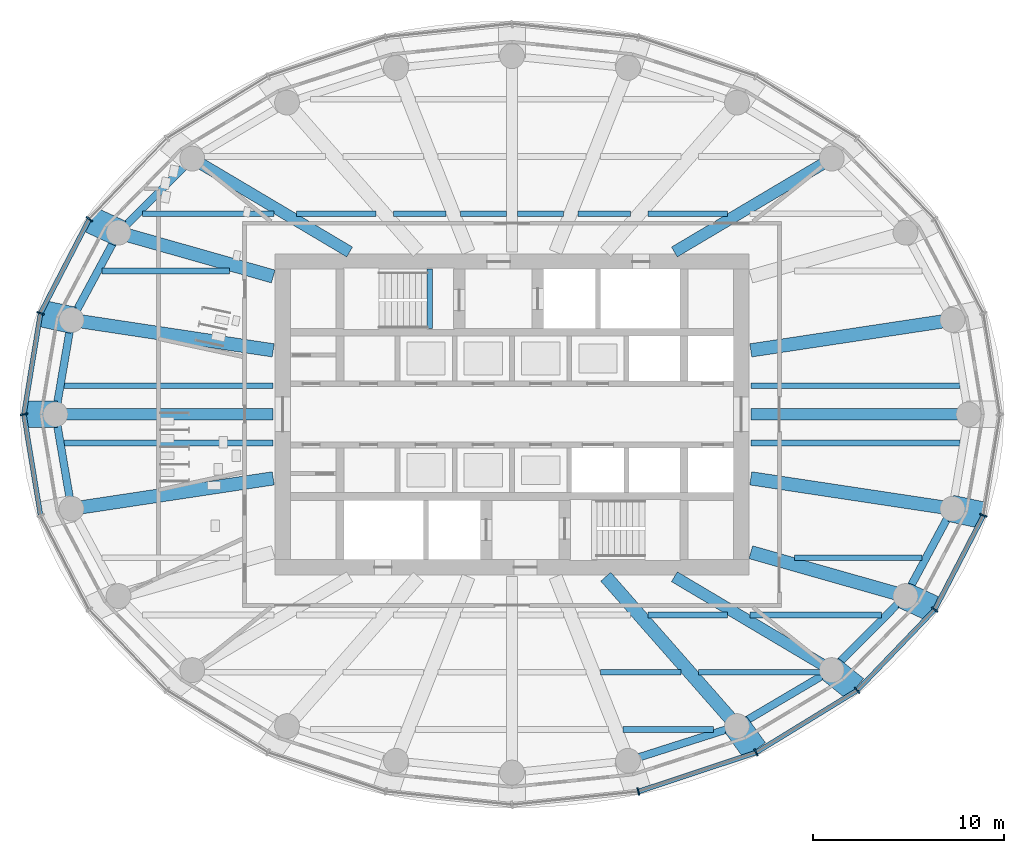
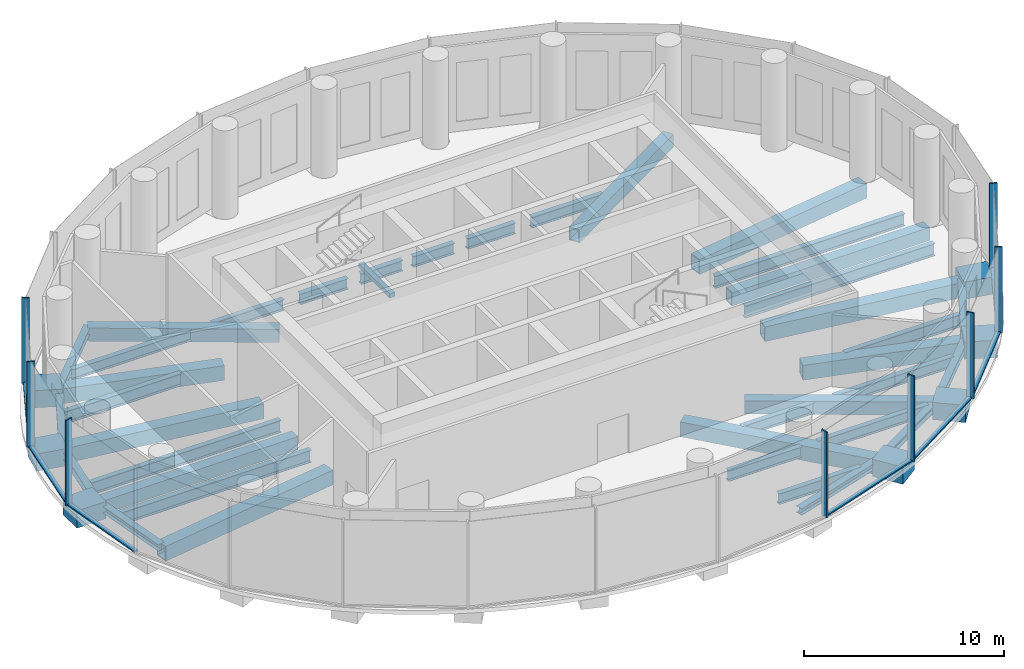
# One storey, part 2 of 13: 46 beams, 15 members, 3 elements without a shape of their own.
"""IFC4 building model written with IfcOpenShell, lengths in metres."""

from ifc_helpers import new_model, si_unit, direction, frame, origin, origin_2d, place, context, subcontext, project, spatial, rectangle, hollow_rectangle, i_section, extrude, material, material_profile, profile_set, type_object, element, aggregate, save


model = new_model("IFC4")

# Units and contexts
model_context = context("Model", 3, precision=1e-05, world=origin(), true_north=direction((0.0, 1.0)))
body_context = subcontext(model_context, "Body", "Model", "MODEL_VIEW")
ifc_project = project(units=[si_unit("LENGTHUNIT", "METRE"), si_unit("AREAUNIT", "SQUARE_METRE"), si_unit("VOLUMEUNIT", "CUBIC_METRE"), si_unit("PLANEANGLEUNIT", "RADIAN"), si_unit("MASSUNIT", "GRAM", prefix="KILO")], contexts=[model_context])

# Site, building, storey
site_placement = place(None, origin())
site = spatial("IfcSite", under=ifc_project, at=site_placement, CompositionType="ELEMENT")
building_placement = place(site_placement, origin())
building = spatial("IfcBuilding", under=site, at=building_placement, Name="Hankou Lantern Tower", CompositionType="ELEMENT")
storey_placement = place(building_placement, frame((0.0, 0.0, 100.199951171875)))
storey = spatial("IfcBuildingStorey", under=building, at=storey_placement, Name="L25", CompositionType="ELEMENT", Elevation=100.199951171875)

# Beams
ifc_material_1 = material(Name="Steel Q355B", Category="steel")
ifc_material_profile_1 = material_profile(ifc_material_1, i_section(OverallWidth=0.39990234375, OverallDepth=0.39990234375, WebThickness=0.012939453125, FlangeThickness=0.02099609375, FilletRadius=0.02197265625, at=origin_2d()), Name="HW400x400x13x21")
ifc_profile_set_1 = profile_set([ifc_material_profile_1], Name="Steel Q355B")
beam_type_1 = type_object("IfcBeamType", Name="EB19 RING BEAM HW400x400x13x21", PredefinedType="SPANDREL", material=ifc_profile_set_1)
beam_1_placement = place(storey_placement, frame((-16.73388671875, 13.38720703125, -0.449951171875), z_axis=(-0.705945468625, -0.708266189599, 0.0), x_axis=(0.708266189599, -0.705945468625, 0.0)))
element("IfcBeam", 1, at=beam_1_placement, inside=storey, type_object=beam_type_1, Name="Ring beam R10-R11 L25", PredefinedType="SPANDREL", context=body_context, shape_type="SweptSolid", body=[
    extrude(i_section(OverallWidth=0.39990234375, OverallDepth=0.39990234375, WebThickness=0.012939453125, FlangeThickness=0.02099609375, FilletRadius=0.02197265625, at=origin_2d()), origin(), (0.0, 0.0, 1.0), 5.470458984375),
])
beam_2_placement = place(storey_placement, frame((-20.595703125, 9.5126953125, -0.449951171875), z_axis=(-0.473824901673, -0.880619079145, 0.0), x_axis=(0.880619079145, -0.473824901673, 0.0)))
element("IfcBeam", 2, at=beam_2_placement, inside=storey, type_object=beam_type_1, Name="Ring beam R11-R12 L25", PredefinedType="SPANDREL", context=body_context, shape_type="SweptSolid", body=[
    extrude(i_section(OverallWidth=0.39990234375, OverallDepth=0.39990234375, WebThickness=0.012939453125, FlangeThickness=0.02099609375, FilletRadius=0.02197265625, at=origin_2d()), origin(), (0.0, 0.0, 1.0), 5.190185546875),
])
for number, where, z_axis, x_axis, name in (
    (3, (-23.054931640625, 4.942138671875, -0.449951171875), (-0.168527258545, -0.985696993567, 0.0), (0.985696993567, -0.168527258545, 0.0), "Ring beam R12-R13 L25"),
    (4, (-23.89990234375, 0.0, -0.449951171875), (0.168527258545, -0.985696993567, 0.0), (0.985696993567, 0.168527258545, 0.0), "Ring beam R13-R14 L25"),
):
    element("IfcBeam", number, at=place(storey_placement, frame(where, z_axis=z_axis, x_axis=x_axis)), inside=storey, type_object=beam_type_1, Name=name, PredefinedType="SPANDREL", context=body_context, shape_type="SweptSolid", body=[
        extrude(i_section(OverallWidth=0.39990234375, OverallDepth=0.39990234375, WebThickness=0.012939453125, FlangeThickness=0.02099609375, FilletRadius=0.02197265625, at=origin_2d()), origin(), (0.0, 0.0, 1.0), 5.013916015625),
    ])
beam_3_placement = place(storey_placement, frame((6.073974609375, -18.134521484375, -0.449951171875), z_axis=(0.952731090451, 0.303814860215, 0.0), x_axis=(-0.303814860215, 0.952731090451, 0.0)))
element("IfcBeam", 5, at=beam_3_placement, inside=storey, type_object=beam_type_1, Name="Ring beam R20-R21 L25", PredefinedType="SPANDREL", context=body_context, shape_type="SweptSolid", body=[
    extrude(i_section(OverallWidth=0.39990234375, OverallDepth=0.39990234375, WebThickness=0.012939453125, FlangeThickness=0.02099609375, FilletRadius=0.02197265625, at=origin_2d()), origin(), (0.0, 0.0, 1.0), 5.984375),
])
beam_4_placement = place(storey_placement, frame((11.775390625, -16.31640625, -0.449951171875), z_axis=(0.860988974188, 0.508623619513, 0.0), x_axis=(-0.508623619513, 0.860988974188, 0.0)))
element("IfcBeam", 6, at=beam_4_placement, inside=storey, type_object=beam_type_1, Name="Ring beam R21-R22 L25", PredefinedType="SPANDREL", context=body_context, shape_type="SweptSolid", body=[
    extrude(i_section(OverallWidth=0.39990234375, OverallDepth=0.39990234375, WebThickness=0.012939453125, FlangeThickness=0.02099609375, FilletRadius=0.02197265625, at=origin_2d()), origin(), (0.0, 0.0, 1.0), 5.759033203125),
])
beam_5_placement = place(storey_placement, frame((16.73388671875, -13.38720703125, -0.449951171875), z_axis=(0.705945468625, 0.708266189599, 0.0), x_axis=(-0.708266189599, 0.705945468625, 0.0)))
element("IfcBeam", 7, at=beam_5_placement, inside=storey, type_object=beam_type_1, Name="Ring beam R22-R23 L25", PredefinedType="SPANDREL", context=body_context, shape_type="SweptSolid", body=[
    extrude(i_section(OverallWidth=0.39990234375, OverallDepth=0.39990234375, WebThickness=0.012939453125, FlangeThickness=0.02099609375, FilletRadius=0.02197265625, at=origin_2d()), origin(), (0.0, 0.0, 1.0), 5.470458984375),
])
beam_6_placement = place(storey_placement, frame((20.595703125, -9.5126953125, -0.449951171875), z_axis=(0.473824901673, 0.880619079145, 0.0), x_axis=(-0.880619079145, 0.473824901673, 0.0)))
element("IfcBeam", 8, at=beam_6_placement, inside=storey, type_object=beam_type_1, Name="Ring beam R23-R24 L25", PredefinedType="SPANDREL", context=body_context, shape_type="SweptSolid", body=[
    extrude(i_section(OverallWidth=0.39990234375, OverallDepth=0.39990234375, WebThickness=0.012939453125, FlangeThickness=0.02099609375, FilletRadius=0.02197265625, at=origin_2d()), origin(), (0.0, 0.0, 1.0), 5.190185546875),
])
ifc_material_2 = material(Name="Concrete C40", Category="concrete")
ifc_material_profile_2 = material_profile(ifc_material_2, rectangle(XDim=0.300048828125, YDim=0.25, at=origin_2d()), Name="RC 300x250")
ifc_profile_set_2 = profile_set([ifc_material_profile_2], Name="Concrete C40")
beam_type_2 = type_object("IfcBeamType", Name="LB1 STAIR LANDING BEAM RC 300x250", PredefinedType="BEAM", material=ifc_profile_set_2)
beam_7_placement = place(storey_placement, frame((-4.300048828125, 4.5, 2.574951171875), z_axis=(0.0, 1.0, 0.0), x_axis=(-1.0, 0.0, 0.0)))
element("IfcBeam", 9, at=beam_7_placement, inside=storey, type_object=beam_type_2, Name="Stair STA landing beam L25", PredefinedType="BEAM", context=body_context, shape_type="SweptSolid", body=[
    extrude(rectangle(XDim=0.300048828125, YDim=0.25, at=origin_2d()), origin(), (0.0, 0.0, 1.0), 3.10009765625),
])

# Curtain wall, members
ifc_material_3 = material(Name="Glass, dark grey tinted laminated", Category="glass")
curtain_wall_type = type_object("IfcCurtainWallType", Name="CWB OUTER SKIN MID-RISE", PredefinedType="USERDEFINED", material=ifc_material_3)
curtain_wall_1_placement = place(storey_placement, origin())
curtain_wall_1 = element("IfcCurtainWall", 10, at=curtain_wall_1_placement, inside=storey, type_object=curtain_wall_type, Name="CWB L25 OS2", ObjectType="OUTER SKIN MID-RISE", PredefinedType="USERDEFINED")
ifc_material_4 = material(Name="Aluminium, black anodised", Category="aluminium")
ifc_material_profile_3 = material_profile(ifc_material_4, rectangle(XDim=0.080078125, YDim=0.39990234375, at=origin_2d()), Name="MU3 80X400")
ifc_profile_set_3 = profile_set([ifc_material_profile_3], Name="Aluminium, black anodised")
member_type_1 = type_object("IfcMemberType", Name="MU3 OUTER SKIN TALL MULLION 80X400", PredefinedType="MULLION", material=ifc_profile_set_3)
member_1_placement = place(storey_placement, frame((-22.126953125, 10.219970703125, 0.0), z_axis=(0.0, 0.0, 1.0), x_axis=(-0.585205735974, -0.810884854084, 0.0)))
member_1 = element("IfcMember", 11, at=member_1_placement, type_object=member_type_1, Name="CWB mullion 5", PredefinedType="MULLION", context=body_context, shape_type="SweptSolid", body=[
    extrude(rectangle(XDim=0.080078125, YDim=0.39990234375, at=origin_2d()), origin(), (0.0, 0.0, 1.0), 5.219970703125),
])
member_2_placement = place(storey_placement, frame((-24.679443359375, 5.290283203125, 0.0), z_axis=(0.0, 0.0, 1.0), x_axis=(-0.317595577365, -0.94822626479, 0.0)))
member_2 = element("IfcMember", 12, at=member_2_placement, type_object=member_type_1, Name="CWB mullion 6", PredefinedType="MULLION", context=body_context, shape_type="SweptSolid", body=[
    extrude(rectangle(XDim=0.080078125, YDim=0.39990234375, at=origin_2d()), origin(), (0.0, 0.0, 1.0), 5.219970703125),
])

# Curtain wall, member
curtain_wall_2_placement = place(storey_placement, origin())
curtain_wall_2 = element("IfcCurtainWall", 13, at=curtain_wall_2_placement, inside=storey, type_object=curtain_wall_type, Name="CWB L25 OS3", ObjectType="OUTER SKIN MID-RISE", PredefinedType="USERDEFINED")
member_3_placement = place(storey_placement, frame((-25.550048828125, 0.0, 0.0), z_axis=(0.0, 0.0, 1.0), x_axis=(0.162381515188, -0.986728049427, 0.0)))
member_3 = element("IfcMember", 14, at=member_3_placement, type_object=member_type_1, Name="CWB mullion 1", PredefinedType="MULLION", context=body_context, shape_type="SweptSolid", body=[
    extrude(rectangle(XDim=0.080078125, YDim=0.39990234375, at=origin_2d()), origin(), (0.0, 0.0, 1.0), 5.219970703125),
])

# Curtain wall, members
curtain_wall_3_placement = place(storey_placement, origin())
curtain_wall_3 = element("IfcCurtainWall", 15, at=curtain_wall_3_placement, inside=storey, type_object=curtain_wall_type, Name="CWB L25 OS4", ObjectType="OUTER SKIN MID-RISE", PredefinedType="USERDEFINED")
member_4_placement = place(storey_placement, frame((6.61279296875, -19.743408203125, 0.0), z_axis=(0.0, 0.0, 1.0), x_axis=(0.977787659625, 0.209597931016, 0.0)))
member_4 = element("IfcMember", 16, at=member_4_placement, type_object=member_type_1, Name="CWB mullion 2", PredefinedType="MULLION", context=body_context, shape_type="SweptSolid", body=[
    extrude(rectangle(XDim=0.080078125, YDim=0.39990234375, at=origin_2d()), origin(), (0.0, 0.0, 1.0), 5.219970703125),
])
member_5_placement = place(storey_placement, frame((12.77490234375, -17.70166015625, 0.0), z_axis=(0.0, 0.0, 1.0), x_axis=(0.907841299004, 0.419313934686, 0.0)))
member_5 = element("IfcMember", 17, at=member_5_placement, type_object=member_type_1, Name="CWB mullion 3", PredefinedType="MULLION", context=body_context, shape_type="SweptSolid", body=[
    extrude(rectangle(XDim=0.080078125, YDim=0.39990234375, at=origin_2d()), origin(), (0.0, 0.0, 1.0), 5.219970703125),
])
member_6_placement = place(storey_placement, frame((18.066650390625, -14.453369140625, 0.0), z_axis=(0.0, 0.0, 1.0), x_axis=(0.780868809444, 0.624695047553, 0.0)))
member_6 = element("IfcMember", 18, at=member_6_placement, type_object=member_type_1, Name="CWB mullion 4", PredefinedType="MULLION", context=body_context, shape_type="SweptSolid", body=[
    extrude(rectangle(XDim=0.080078125, YDim=0.39990234375, at=origin_2d()), origin(), (0.0, 0.0, 1.0), 5.219970703125),
])
member_7_placement = place(storey_placement, frame((22.126953125, -10.219970703125, 0.0), z_axis=(0.0, 0.0, 1.0), x_axis=(0.585205735974, 0.810884854084, 0.0)))
member_7 = element("IfcMember", 19, at=member_7_placement, type_object=member_type_1, Name="CWB mullion 5", PredefinedType="MULLION", context=body_context, shape_type="SweptSolid", body=[
    extrude(rectangle(XDim=0.080078125, YDim=0.39990234375, at=origin_2d()), origin(), (0.0, 0.0, 1.0), 5.219970703125),
])
member_8_placement = place(storey_placement, frame((24.679443359375, -5.290283203125, 0.0), z_axis=(0.0, 0.0, 1.0), x_axis=(0.317595577365, 0.94822626479, 0.0)))
member_8 = element("IfcMember", 20, at=member_8_placement, type_object=member_type_1, Name="CWB mullion 6", PredefinedType="MULLION", context=body_context, shape_type="SweptSolid", body=[
    extrude(rectangle(XDim=0.080078125, YDim=0.39990234375, at=origin_2d()), origin(), (0.0, 0.0, 1.0), 5.219970703125),
])

# Beams
ifc_material_5 = material(Name="Steel Q390GJ", Category="steel")
ifc_material_profile_4 = material_profile(ifc_material_5, hollow_rectangle(XDim=0.60009765625, YDim=0.800048828125, WallThickness=0.050048828125, at=origin_2d()), Name="BOX800x600x50")
ifc_profile_set_4 = profile_set([ifc_material_profile_4], Name="Steel Q390GJ")
beam_type_3 = type_object("IfcBeamType", Name="OT1 OUTRIGGER CHORD BOX800x600x50", PredefinedType="BEAM", material=ifc_profile_set_4)
beam_8_placement = place(storey_placement, frame((12.5, 0.0, -0.64990234375), z_axis=(1.0, 0.0, 0.0), x_axis=(0.0, 1.0, 0.0)))
element("IfcBeam", 21, at=beam_8_placement, inside=storey, type_object=beam_type_3, Name="Radial beam R01 L25", PredefinedType="BEAM", context=body_context, shape_type="SweptSolid", body=[
    extrude(hollow_rectangle(XDim=0.60009765625, YDim=0.800048828125, WallThickness=0.050048828125, at=origin_2d()), origin(), (0.0, 0.0, 1.0), 11.39990234375),
])
for number, where, z_axis, x_axis, name in (
    (22, (8.5, 8.5, -0.64990234375), (0.859930987627, 0.51041032172, 0.0), (-0.51041032172, 0.859930987627, 0.0), "Radial beam R04 L25"),
    (23, (-8.5, 8.5, -0.64990234375), (-0.859930987627, 0.51041032172, 0.0), (-0.51041032172, -0.859930987627, 0.0), "Radial beam R10 L25"),
):
    element("IfcBeam", number, at=place(storey_placement, frame(where, z_axis=z_axis, x_axis=x_axis)), inside=storey, type_object=beam_type_3, Name=name, PredefinedType="BEAM", context=body_context, shape_type="SweptSolid", body=[
        extrude(hollow_rectangle(XDim=0.60009765625, YDim=0.800048828125, WallThickness=0.050048828125, at=origin_2d()), origin(), (0.0, 0.0, 1.0), 9.574951171875),
    ])
beam_9_placement = place(storey_placement, frame((-12.5, 0.0, -0.64990234375), z_axis=(-1.0, 0.0, 0.0), x_axis=(0.0, -1.0, 0.0)))
element("IfcBeam", 24, at=beam_9_placement, inside=storey, type_object=beam_type_3, Name="Radial beam R13 L25", PredefinedType="BEAM", context=body_context, shape_type="SweptSolid", body=[
    extrude(hollow_rectangle(XDim=0.60009765625, YDim=0.800048828125, WallThickness=0.050048828125, at=origin_2d()), origin(), (0.0, 0.0, 1.0), 11.39990234375),
])
beam_10_placement = place(storey_placement, frame((8.5, -8.5, -0.64990234375), z_axis=(0.859930987627, -0.51041032172, 0.0), x_axis=(0.51041032172, 0.859930987627, 0.0)))
element("IfcBeam", 25, at=beam_10_placement, inside=storey, type_object=beam_type_3, Name="Radial beam R22 L25", PredefinedType="BEAM", context=body_context, shape_type="SweptSolid", body=[
    extrude(hollow_rectangle(XDim=0.60009765625, YDim=0.800048828125, WallThickness=0.050048828125, at=origin_2d()), origin(), (0.0, 0.0, 1.0), 9.574951171875),
])
ifc_material_6 = material(Name="Steel Q355B", Category="steel")
ifc_material_profile_5 = material_profile(ifc_material_6, hollow_rectangle(XDim=0.699951171875, YDim=0.89990234375, WallThickness=0.050048828125, at=origin_2d()), Name="BOX900x700x50")
ifc_profile_set_5 = profile_set([ifc_material_profile_5], Name="Steel Q355B")
beam_type_4 = type_object("IfcBeamType", Name="RB27 RADIAL BEAM BOX900x700x50", PredefinedType="BEAM", material=ifc_profile_set_5)
beam_11_placement = place(storey_placement, frame((12.5, 3.349365234375, -0.699951171875), z_axis=(0.988804945113, 0.149213875093, 0.0), x_axis=(-0.149213875093, 0.988804945113, 0.0)))
element("IfcBeam", 26, at=beam_11_placement, inside=storey, type_object=beam_type_4, Name="Radial beam R02 L25", PredefinedType="BEAM", context=body_context, shape_type="SweptSolid", body=[
    extrude(hollow_rectangle(XDim=0.699951171875, YDim=0.89990234375, WallThickness=0.050048828125, at=origin_2d()), origin(), (0.0, 0.0, 1.0), 10.67431640625),
])
beam_12_placement = place(storey_placement, frame((-12.5, 7.216796875, -0.699951171875), z_axis=(-0.96206075006, 0.272835322484, 0.0), x_axis=(-0.272835322484, -0.96206075006, 0.0)))
element("IfcBeam", 27, at=beam_12_placement, inside=storey, type_object=beam_type_4, Name="Radial beam R11 L25", PredefinedType="BEAM", context=body_context, shape_type="SweptSolid", body=[
    extrude(hollow_rectangle(XDim=0.699951171875, YDim=0.89990234375, WallThickness=0.050048828125, at=origin_2d()), origin(), (0.0, 0.0, 1.0), 8.4150390625),
])
for number, where, z_axis, x_axis, name in (
    (28, (-12.5, 3.349365234375, -0.699951171875), (-0.988804945113, 0.149213875093, 0.0), (-0.149213875093, -0.988804945113, 0.0), "Radial beam R12 L25"),
    (29, (-12.5, -3.349365234375, -0.699951171875), (-0.988804945113, -0.149213875093, 0.0), (0.149213875093, -0.988804945113, 0.0), "Radial beam R14 L25"),
):
    element("IfcBeam", number, at=place(storey_placement, frame(where, z_axis=z_axis, x_axis=x_axis)), inside=storey, type_object=beam_type_4, Name=name, PredefinedType="BEAM", context=body_context, shape_type="SweptSolid", body=[
        extrude(hollow_rectangle(XDim=0.699951171875, YDim=0.89990234375, WallThickness=0.050048828125, at=origin_2d()), origin(), (0.0, 0.0, 1.0), 10.67431640625),
    ])
beam_13_placement = place(storey_placement, frame((4.907470703125, -8.5, -0.699951171875), z_axis=(0.660058037613, -0.751214607807, 0.0), x_axis=(0.751214607807, 0.660058037613, 0.0)))
element("IfcBeam", 30, at=beam_13_placement, inside=storey, type_object=beam_type_4, Name="Radial beam R21 L25", PredefinedType="BEAM", context=body_context, shape_type="SweptSolid", body=[
    extrude(hollow_rectangle(XDim=0.699951171875, YDim=0.89990234375, WallThickness=0.050048828125, at=origin_2d()), origin(), (0.0, 0.0, 1.0), 10.405029296875),
])
beam_14_placement = place(storey_placement, frame((12.5, -7.216796875, -0.699951171875), z_axis=(0.96206075006, -0.272835322484, 0.0), x_axis=(0.272835322484, 0.96206075006, 0.0)))
element("IfcBeam", 31, at=beam_14_placement, inside=storey, type_object=beam_type_4, Name="Radial beam R23 L25", PredefinedType="BEAM", context=body_context, shape_type="SweptSolid", body=[
    extrude(hollow_rectangle(XDim=0.699951171875, YDim=0.89990234375, WallThickness=0.050048828125, at=origin_2d()), origin(), (0.0, 0.0, 1.0), 8.4150390625),
])
beam_15_placement = place(storey_placement, frame((12.5, -3.349365234375, -0.699951171875), z_axis=(0.988804945113, -0.149213875093, 0.0), x_axis=(0.149213875093, 0.988804945113, 0.0)))
element("IfcBeam", 32, at=beam_15_placement, inside=storey, type_object=beam_type_4, Name="Radial beam R24 L25", PredefinedType="BEAM", context=body_context, shape_type="SweptSolid", body=[
    extrude(hollow_rectangle(XDim=0.699951171875, YDim=0.89990234375, WallThickness=0.050048828125, at=origin_2d()), origin(), (0.0, 0.0, 1.0), 10.67431640625),
])
ifc_material_7 = material(Name="Steel Q355B", Category="steel")
ifc_material_profile_6 = material_profile(ifc_material_7, i_section(OverallWidth=0.300048828125, OverallDepth=0.75, WebThickness=0.012939453125, FlangeThickness=0.02392578125, FilletRadius=0.01806640625, at=origin_2d()), Name="HN750x300x13x24")
ifc_profile_set_6 = profile_set([ifc_material_profile_6], Name="Steel Q355B")
beam_type_5 = type_object("IfcBeamType", Name="SB10 SECONDARY BEAM HN750x300x13x24", PredefinedType="JOIST", material=ifc_profile_set_6)
beam_16_placement = place(storey_placement, frame((14.78125, -7.5, -0.625), z_axis=(1.0, 0.0, 0.0), x_axis=(0.0, 1.0, 0.0)))
element("IfcBeam", 33, at=beam_16_placement, inside=storey, type_object=beam_type_5, Name="Floor joist J020 L25", PredefinedType="JOIST", context=body_context, shape_type="SweptSolid", body=[
    extrude(i_section(OverallWidth=0.300048828125, OverallDepth=0.75, WebThickness=0.012939453125, FlangeThickness=0.02392578125, FilletRadius=0.01806640625, at=origin_2d()), origin(), (0.0, 0.0, 1.0), 6.670166015625),
])
for number, where, z_axis, x_axis, name in (
    (34, (-23.440673828125, -1.5, -0.625), (1.0, 0.0, 0.0), (0.0, 1.0, 0.0), "Floor joist J025 L25"),
    (35, (12.5, -1.5, -0.625), (1.0, 0.0, 0.0), (0.0, 1.0, 0.0), "Floor joist J026 L25"),
    (36, (-23.440673828125, 1.5, -0.625), (1.0, 0.0, 0.0), (0.0, 1.0, 0.0), "Floor joist J027 L25"),
    (37, (12.5, 1.5, -0.625), (1.0, 0.0, 0.0), (0.0, 1.0, 0.0), "Floor joist J028 L25"),
):
    element("IfcBeam", number, at=place(storey_placement, frame(where, z_axis=z_axis, x_axis=x_axis)), inside=storey, type_object=beam_type_5, Name=name, PredefinedType="JOIST", context=body_context, shape_type="SweptSolid", body=[
        extrude(i_section(OverallWidth=0.300048828125, OverallDepth=0.75, WebThickness=0.012939453125, FlangeThickness=0.02392578125, FilletRadius=0.01806640625, at=origin_2d()), origin(), (0.0, 0.0, 1.0), 10.940673828125),
    ])
beam_17_placement = place(storey_placement, frame((-21.451416015625, 7.5, -0.625), z_axis=(1.0, 0.0, 0.0), x_axis=(0.0, 1.0, 0.0)))
element("IfcBeam", 38, at=beam_17_placement, inside=storey, type_object=beam_type_5, Name="Floor joist J033 L25", PredefinedType="JOIST", context=body_context, shape_type="SweptSolid", body=[
    extrude(i_section(OverallWidth=0.300048828125, OverallDepth=0.75, WebThickness=0.012939453125, FlangeThickness=0.02392578125, FilletRadius=0.01806640625, at=origin_2d()), origin(), (0.0, 0.0, 1.0), 6.670166015625),
])
ifc_material_8 = material(Name="Steel Q355B", Category="steel")
ifc_material_profile_7 = material_profile(ifc_material_8, i_section(OverallWidth=0.300048828125, OverallDepth=0.64990234375, WebThickness=0.010986328125, FlangeThickness=0.01708984375, FilletRadius=0.01806640625, at=origin_2d()), Name="HN650x300x11x17")
ifc_profile_set_7 = profile_set([ifc_material_profile_7], Name="Steel Q355B")
beam_type_6 = type_object("IfcBeamType", Name="SB8 SECONDARY BEAM HN650x300x11x17", PredefinedType="JOIST", material=ifc_profile_set_7)
beam_18_placement = place(storey_placement, frame((5.80615234375, -16.5, -0.574951171875), z_axis=(1.0, 0.0, 0.0), x_axis=(0.0, 1.0, 0.0)))
element("IfcBeam", 39, at=beam_18_placement, inside=storey, type_object=beam_type_6, Name="Floor joist J004 L25", PredefinedType="JOIST", context=body_context, shape_type="SweptSolid", body=[
    extrude(i_section(OverallWidth=0.300048828125, OverallDepth=0.64990234375, WebThickness=0.010986328125, FlangeThickness=0.01708984375, FilletRadius=0.01806640625, at=origin_2d()), origin(), (0.0, 0.0, 1.0), 4.73486328125),
])
beam_19_placement = place(storey_placement, frame((4.623779296875, -13.5, -0.574951171875), z_axis=(1.0, 0.0, 0.0), x_axis=(0.0, 1.0, 0.0)))
element("IfcBeam", 40, at=beam_19_placement, inside=storey, type_object=beam_type_6, Name="Floor joist J009 L25", PredefinedType="JOIST", context=body_context, shape_type="SweptSolid", body=[
    extrude(i_section(OverallWidth=0.300048828125, OverallDepth=0.64990234375, WebThickness=0.010986328125, FlangeThickness=0.01708984375, FilletRadius=0.01806640625, at=origin_2d()), origin(), (0.0, 0.0, 1.0), 4.2109375),
])
beam_20_placement = place(storey_placement, frame((9.7666015625, -13.5, -0.574951171875), z_axis=(1.0, 0.0, 0.0), x_axis=(0.0, 1.0, 0.0)))
element("IfcBeam", 41, at=beam_20_placement, inside=storey, type_object=beam_type_6, Name="Floor joist J010 L25", PredefinedType="JOIST", context=body_context, shape_type="SweptSolid", body=[
    extrude(i_section(OverallWidth=0.300048828125, OverallDepth=0.64990234375, WebThickness=0.010986328125, FlangeThickness=0.01708984375, FilletRadius=0.01806640625, at=origin_2d()), origin(), (0.0, 0.0, 1.0), 6.383056640625),
])
beam_21_placement = place(storey_placement, frame((7.130615234375, -10.5, -0.574951171875), z_axis=(1.0, 0.0, 0.0), x_axis=(0.0, 1.0, 0.0)))
element("IfcBeam", 42, at=beam_21_placement, inside=storey, type_object=beam_type_6, Name="Floor joist J017 L25", PredefinedType="JOIST", context=body_context, shape_type="SweptSolid", body=[
    extrude(i_section(OverallWidth=0.300048828125, OverallDepth=0.64990234375, WebThickness=0.010986328125, FlangeThickness=0.01708984375, FilletRadius=0.01806640625, at=origin_2d()), origin(), (0.0, 0.0, 1.0), 4.151123046875),
])
for number, where, z_axis, x_axis, name in (
    (43, (12.457275390625, -10.5, -0.574951171875), (1.0, 0.0, 0.0), (0.0, 1.0, 0.0), "Floor joist J018 L25"),
    (44, (-19.3291015625, 10.5, -0.574951171875), (1.0, 0.0, 0.0), (0.0, 1.0, 0.0), "Floor joist J035 L25"),
):
    element("IfcBeam", number, at=place(storey_placement, frame(where, z_axis=z_axis, x_axis=x_axis)), inside=storey, type_object=beam_type_6, Name=name, PredefinedType="JOIST", context=body_context, shape_type="SweptSolid", body=[
        extrude(i_section(OverallWidth=0.300048828125, OverallDepth=0.64990234375, WebThickness=0.010986328125, FlangeThickness=0.01708984375, FilletRadius=0.01806640625, at=origin_2d()), origin(), (0.0, 0.0, 1.0), 6.871826171875),
    ])
beam_22_placement = place(storey_placement, frame((-11.28173828125, 10.5, -0.574951171875), z_axis=(1.0, 0.0, 0.0), x_axis=(0.0, 1.0, 0.0)))
element("IfcBeam", 45, at=beam_22_placement, inside=storey, type_object=beam_type_6, Name="Floor joist J036 L25", PredefinedType="JOIST", context=body_context, shape_type="SweptSolid", body=[
    extrude(i_section(OverallWidth=0.300048828125, OverallDepth=0.64990234375, WebThickness=0.010986328125, FlangeThickness=0.01708984375, FilletRadius=0.01806640625, at=origin_2d()), origin(), (0.0, 0.0, 1.0), 4.151123046875),
])
beam_23_placement = place(storey_placement, frame((-6.198974609375, 10.5, -0.574951171875), z_axis=(1.0, 0.0, 0.0), x_axis=(0.0, 1.0, 0.0)))
element("IfcBeam", 46, at=beam_23_placement, inside=storey, type_object=beam_type_6, Name="Floor joist J037 L25", PredefinedType="JOIST", context=body_context, shape_type="SweptSolid", body=[
    extrude(i_section(OverallWidth=0.300048828125, OverallDepth=0.64990234375, WebThickness=0.010986328125, FlangeThickness=0.01708984375, FilletRadius=0.01806640625, at=origin_2d()), origin(), (0.0, 0.0, 1.0), 2.757080078125),
])
for number, where, z_axis, x_axis, name in (
    (47, (-2.689453125, 10.5, -0.574951171875), (1.0, 0.0, 0.0), (0.0, 1.0, 0.0), "Floor joist J038 L25"),
    (48, (0.300048828125, 10.5, -0.574951171875), (1.0, 0.0, 0.0), (0.0, 1.0, 0.0), "Floor joist J039 L25"),
):
    element("IfcBeam", number, at=place(storey_placement, frame(where, z_axis=z_axis, x_axis=x_axis)), inside=storey, type_object=beam_type_6, Name=name, PredefinedType="JOIST", context=body_context, shape_type="SweptSolid", body=[
        extrude(i_section(OverallWidth=0.300048828125, OverallDepth=0.64990234375, WebThickness=0.010986328125, FlangeThickness=0.01708984375, FilletRadius=0.01806640625, at=origin_2d()), origin(), (0.0, 0.0, 1.0), 2.389404296875),
    ])
beam_24_placement = place(storey_placement, frame((3.44189453125, 10.5, -0.574951171875), z_axis=(1.0, 0.0, 0.0), x_axis=(0.0, 1.0, 0.0)))
element("IfcBeam", 49, at=beam_24_placement, inside=storey, type_object=beam_type_6, Name="Floor joist J040 L25", PredefinedType="JOIST", context=body_context, shape_type="SweptSolid", body=[
    extrude(i_section(OverallWidth=0.300048828125, OverallDepth=0.64990234375, WebThickness=0.010986328125, FlangeThickness=0.01708984375, FilletRadius=0.01806640625, at=origin_2d()), origin(), (0.0, 0.0, 1.0), 2.757080078125),
])
beam_25_placement = place(storey_placement, frame((7.130615234375, 10.5, -0.574951171875), z_axis=(1.0, 0.0, 0.0), x_axis=(0.0, 1.0, 0.0)))
element("IfcBeam", 50, at=beam_25_placement, inside=storey, type_object=beam_type_6, Name="Floor joist J041 L25", PredefinedType="JOIST", context=body_context, shape_type="SweptSolid", body=[
    extrude(i_section(OverallWidth=0.300048828125, OverallDepth=0.64990234375, WebThickness=0.010986328125, FlangeThickness=0.01708984375, FilletRadius=0.01806640625, at=origin_2d()), origin(), (0.0, 0.0, 1.0), 4.151123046875),
])
ifc_material_9 = material(Name="Concrete C60", Category="concrete")
ifc_material_profile_8 = material_profile(ifc_material_9, rectangle(XDim=1.39990234375, YDim=1.050048828125, at=origin_2d()), Name="RC 1400x1050")
ifc_profile_set_8 = profile_set([ifc_material_profile_8], Name="Concrete C60")
beam_type_7 = type_object("IfcBeamType", Name="TN1 TRANSFER NODE RC 1400x1050", PredefinedType="BEAM", material=ifc_profile_set_8)
beam_26_placement = place(storey_placement, frame((-22.030029296875, 10.17529296875, -0.52490234375), z_axis=(0.907806207555, -0.419389901553, 0.0), x_axis=(0.419389901553, 0.907806207555, 0.0)))
element("IfcBeam", 51, at=beam_26_placement, inside=storey, type_object=beam_type_7, Name="Transfer node R11 L25", PredefinedType="BEAM", context=body_context, shape_type="SweptSolid", body=[
    extrude(rectangle(XDim=1.39990234375, YDim=1.050048828125, at=origin_2d()), origin(), (0.0, 0.0, 1.0), 1.679931640625),
])
beam_27_placement = place(storey_placement, frame((-24.599853515625, 5.273193359375, -0.52490234375), z_axis=(0.977800287519, -0.209539012424, 0.0), x_axis=(0.209539012424, 0.977800287519, 0.0)))
element("IfcBeam", 52, at=beam_27_placement, inside=storey, type_object=beam_type_7, Name="Transfer node R12 L25", PredefinedType="BEAM", context=body_context, shape_type="SweptSolid", body=[
    extrude(rectangle(XDim=1.39990234375, YDim=1.050048828125, at=origin_2d()), origin(), (0.0, 0.0, 1.0), 1.68017578125),
])
for number, where, z_axis, x_axis, name in (
    (53, (-25.47998046875, 0.0, -0.52490234375), (1.0, 0.0, 0.0), (0.0, 1.0, 0.0), "Transfer node R13 L25"),
    (54, (12.699951171875, -17.59765625, -0.52490234375), (-0.585204003834, 0.810886104146, 0.0), (-0.810886104146, -0.585204003834, 0.0), "Transfer node R21 L25"),
):
    element("IfcBeam", number, at=place(storey_placement, frame(where, z_axis=z_axis, x_axis=x_axis)), inside=storey, type_object=beam_type_7, Name=name, PredefinedType="BEAM", context=body_context, shape_type="SweptSolid", body=[
        extrude(rectangle(XDim=1.39990234375, YDim=1.050048828125, at=origin_2d()), origin(), (0.0, 0.0, 1.0), 1.679931640625),
    ])
beam_28_placement = place(storey_placement, frame((17.9677734375, -14.374267578125, -0.52490234375), z_axis=(-0.780882985592, 0.624677326956, 0.0), x_axis=(-0.624677326956, -0.780882985592, 0.0)))
element("IfcBeam", 55, at=beam_28_placement, inside=storey, type_object=beam_type_7, Name="Transfer node R22 L25", PredefinedType="BEAM", context=body_context, shape_type="SweptSolid", body=[
    extrude(rectangle(XDim=1.39990234375, YDim=1.050048828125, at=origin_2d()), origin(), (0.0, 0.0, 1.0), 1.68017578125),
])
beam_29_placement = place(storey_placement, frame((22.030029296875, -10.17529296875, -0.52490234375), z_axis=(-0.907806207555, 0.419389901553, 0.0), x_axis=(-0.419389901553, -0.907806207555, 0.0)))
element("IfcBeam", 56, at=beam_29_placement, inside=storey, type_object=beam_type_7, Name="Transfer node R23 L25", PredefinedType="BEAM", context=body_context, shape_type="SweptSolid", body=[
    extrude(rectangle(XDim=1.39990234375, YDim=1.050048828125, at=origin_2d()), origin(), (0.0, 0.0, 1.0), 1.679931640625),
])
beam_30_placement = place(storey_placement, frame((24.599853515625, -5.273193359375, -0.52490234375), z_axis=(-0.977800287519, 0.209539012424, 0.0), x_axis=(-0.209539012424, -0.977800287519, 0.0)))
element("IfcBeam", 57, at=beam_30_placement, inside=storey, type_object=beam_type_7, Name="Transfer node R24 L25", PredefinedType="BEAM", context=body_context, shape_type="SweptSolid", body=[
    extrude(rectangle(XDim=1.39990234375, YDim=1.050048828125, at=origin_2d()), origin(), (0.0, 0.0, 1.0), 1.68017578125),
])

# Member
ifc_material_10 = material(Name="Aluminium, black anodised", Category="aluminium")
ifc_material_profile_9 = material_profile(ifc_material_10, rectangle(XDim=0.25, YDim=0.080078125, at=origin_2d()), Name="TR3 250X80")
ifc_profile_set_9 = profile_set([ifc_material_profile_9], Name="Aluminium, black anodised")
member_type_2 = type_object("IfcMemberType", Name="TR3 OUTER SKIN TALL TRANSOM 250X80", PredefinedType="USERDEFINED", material=ifc_profile_set_9)
member_9_placement = place(storey_placement, frame((-22.145263671875, 10.1845703125, 0.0400390625), z_axis=(-0.459805240543, -0.888019786249, 0.0), x_axis=(0.888019786249, -0.459805240543, 0.0)))
member_9 = element("IfcMember", 58, at=member_9_placement, type_object=member_type_2, Name="CWB transom 5", ObjectType="TRANSOM", PredefinedType="USERDEFINED", context=body_context, shape_type="SweptSolid", body=[
    extrude(rectangle(XDim=0.25, YDim=0.080078125, at=origin_2d()), origin(), (0.0, 0.0, 1.0), 5.4716796875),
])

member_10_placement = place(storey_placement, frame((-24.685791015625, 5.250732421875, 0.0400390625), z_axis=(-0.162397124076, -0.986725480614, 0.0), x_axis=(0.986725480614, -0.162397124076, 0.0)))
member_10 = element("IfcMember", 59, at=member_10_placement, type_object=member_type_2, Name="CWB transom 6", ObjectType="TRANSOM", PredefinedType="USERDEFINED", context=body_context, shape_type="SweptSolid", body=[
    extrude(rectangle(XDim=0.25, YDim=0.080078125, at=origin_2d()), origin(), (0.0, 0.0, 1.0), 5.28125),
])

aggregate(curtain_wall_1, [member_1, member_2, member_9, member_10])

member_11_placement = place(storey_placement, frame((-25.54345703125, -0.03955078125, 0.0400390625), z_axis=(0.162397124076, -0.986725480614, 0.0), x_axis=(0.986725480614, 0.162397124076, 0.0)))
member_11 = element("IfcMember", 60, at=member_11_placement, type_object=member_type_2, Name="CWB transom 1", ObjectType="TRANSOM", PredefinedType="USERDEFINED", context=body_context, shape_type="SweptSolid", body=[
    extrude(rectangle(XDim=0.25, YDim=0.080078125, at=origin_2d()), origin(), (0.0, 0.0, 1.0), 5.28125),
])

aggregate(curtain_wall_2, [member_3, member_11])

member_12_placement = place(storey_placement, frame((6.65087890625, -19.73095703125, 0.0400390625), z_axis=(0.949237765745, 0.314559476225, 0.0), x_axis=(-0.314559476225, 0.949237765745, 0.0)))
member_12 = element("IfcMember", 61, at=member_12_placement, type_object=member_type_2, Name="CWB transom 2", ObjectType="TRANSOM", PredefinedType="USERDEFINED", context=body_context, shape_type="SweptSolid", body=[
    extrude(rectangle(XDim=0.25, YDim=0.080078125, at=origin_2d()), origin(), (0.0, 0.0, 1.0), 6.41162109375),
])

member_13_placement = place(storey_placement, frame((12.80908203125, -17.6806640625, 0.0400390625), z_axis=(0.852229492169, 0.523168130411, 0.0), x_axis=(-0.523168130411, 0.852229492169, 0.0)))
member_13 = element("IfcMember", 62, at=member_13_placement, type_object=member_type_2, Name="CWB transom 3", ObjectType="TRANSOM", PredefinedType="USERDEFINED", context=body_context, shape_type="SweptSolid", body=[
    extrude(rectangle(XDim=0.25, YDim=0.080078125, at=origin_2d()), origin(), (0.0, 0.0, 1.0), 6.129150390625),
])

member_14_placement = place(storey_placement, frame((18.09423828125, -14.42431640625, 0.0400390625), z_axis=(0.692226977748, 0.721679853729, 0.0), x_axis=(-0.721679853729, 0.692226977748, 0.0)))
member_14 = element("IfcMember", 63, at=member_14_placement, type_object=member_type_2, Name="CWB transom 4", ObjectType="TRANSOM", PredefinedType="USERDEFINED", context=body_context, shape_type="SweptSolid", body=[
    extrude(rectangle(XDim=0.25, YDim=0.080078125, at=origin_2d()), origin(), (0.0, 0.0, 1.0), 5.785888671875),
])

member_15_placement = place(storey_placement, frame((22.145263671875, -10.1845703125, 0.0400390625), z_axis=(0.459805240543, 0.888019786249, 0.0), x_axis=(-0.888019786249, 0.459805240543, 0.0)))
member_15 = element("IfcMember", 64, at=member_15_placement, type_object=member_type_2, Name="CWB transom 5", ObjectType="TRANSOM", PredefinedType="USERDEFINED", context=body_context, shape_type="SweptSolid", body=[
    extrude(rectangle(XDim=0.25, YDim=0.080078125, at=origin_2d()), origin(), (0.0, 0.0, 1.0), 5.4716796875),
])

aggregate(curtain_wall_3, [member_4, member_5, member_6, member_7, member_8, member_12, member_13, member_14, member_15])

save(model, "model.ifc")
